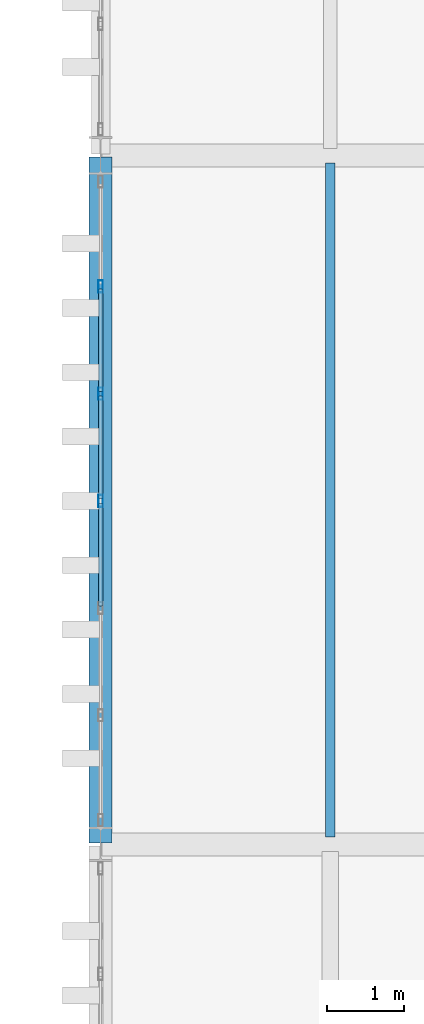
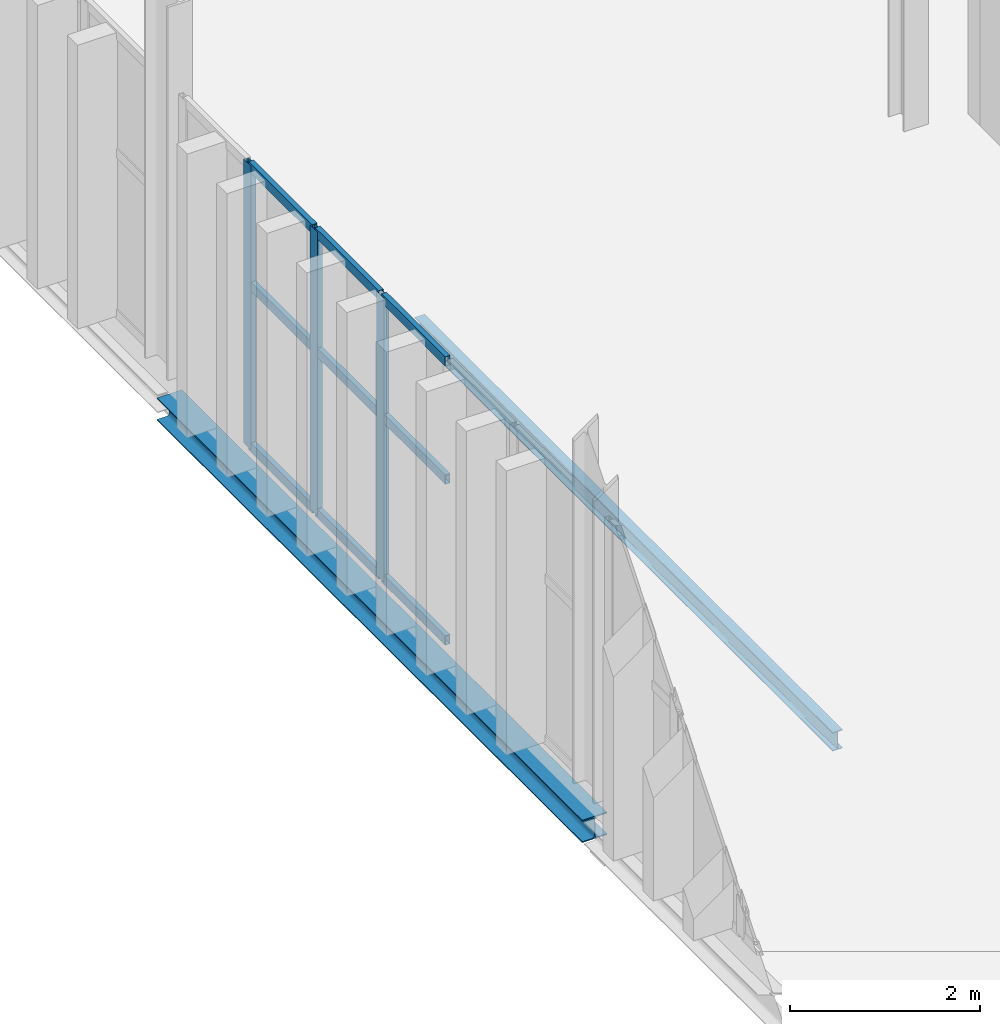
# One storey, part 139 of 196: 12 members, 2 beams, 1 element without a shape of its own.
"""IFC4 building model written with IfcOpenShell, lengths in metres."""

from ifc_helpers import new_model, si_unit, direction, frame, origin, origin_2d, place, context, subcontext, project, spatial, hollow_rectangle, i_section, extrude, material, layer, layer_set, material_profile, profile_set, type_object, element, aggregate, save


model = new_model("IFC4")

# Units and contexts
model_context = context("Model", 3, precision=1e-05, world=origin(), true_north=direction((0.0, 1.0)))
body_context = subcontext(model_context, "Body", "Model", "MODEL_VIEW")
ifc_project = project(units=[si_unit("LENGTHUNIT", "METRE"), si_unit("AREAUNIT", "SQUARE_METRE"), si_unit("VOLUMEUNIT", "CUBIC_METRE"), si_unit("PLANEANGLEUNIT", "RADIAN"), si_unit("MASSUNIT", "GRAM", prefix="KILO")], contexts=[model_context])

# Site, building, storey
site_placement = place(None, origin())
site = spatial("IfcSite", under=ifc_project, at=site_placement, CompositionType="ELEMENT")
building_placement = place(site_placement, origin())
building = spatial("IfcBuilding", under=site, at=building_placement, Name="Barlavento Convention Centre", CompositionType="ELEMENT")
storey_placement = place(building_placement, frame((0.0, 0.0, 18.0)))
storey = spatial("IfcBuildingStorey", under=building, at=storey_placement, Name="L03", CompositionType="ELEMENT", Elevation=18.0)

# Curtain wall, members
ifc_material_1 = material(Name="Powder-coated aluminium and Low-E glass", Category="aluminium")
ifc_layer = layer(ifc_material_1, 0.179931640625)
ifc_layer_set = layer_set([ifc_layer], Name="ARC-CW-PATIO-B")
curtain_wall_type = type_object("IfcCurtainWallType", Name="ARC-CW-PATIO-B", PredefinedType="NOTDEFINED", material=ifc_layer_set)
curtain_wall_placement = place(storey_placement, origin())
curtain_wall = element("IfcCurtainWall", 1, at=curtain_wall_placement, inside=storey, type_object=curtain_wall_type, Name="L03 unitised curtain wall CW12", PredefinedType="NOTDEFINED")
ifc_material_2 = material(Name="Powder-coated aluminium", Category="aluminium")
ifc_material_profile_1 = material_profile(ifc_material_2, hollow_rectangle(XDim=0.06005859375, YDim=0.159912109375, WallThickness=0.00390625, at=origin_2d()), Name="AL-MULL 60x160x4")
ifc_profile_set_1 = profile_set([ifc_material_profile_1], Name="Powder-coated aluminium")
member_type_1 = type_object("IfcMemberType", Name="ARC-CWM-60X160", PredefinedType="MULLION", material=ifc_profile_set_1)
member_1_placement = place(storey_placement, frame((171.0, 76.487548828125, 0.0), z_axis=(0.0, 0.0, 1.0), x_axis=(-1.0, 0.0, 0.0)))
member_1 = element("IfcMember", 2, at=member_1_placement, type_object=member_type_1, Name="CW12 mullion 4", PredefinedType="MULLION", context=body_context, shape_type="SweptSolid", body=[
    extrude(hollow_rectangle(XDim=0.06005859375, YDim=0.159912109375, WallThickness=0.00390625, at=origin_2d()), origin(), (0.0, 0.0, 1.0), 3.64990234375),
])
member_2_placement = place(storey_placement, frame((171.0, 77.888427734375, 0.0), z_axis=(0.0, 0.0, 1.0), x_axis=(-1.0, 0.0, 0.0)))
member_2 = element("IfcMember", 3, at=member_2_placement, type_object=member_type_1, Name="CW12 mullion 5", PredefinedType="MULLION", context=body_context, shape_type="SweptSolid", body=[
    extrude(hollow_rectangle(XDim=0.06005859375, YDim=0.159912109375, WallThickness=0.00390625, at=origin_2d()), origin(), (0.0, 0.0, 1.0), 3.64990234375),
])
member_3_placement = place(storey_placement, frame((171.0, 79.2890625, 0.0), z_axis=(0.0, 0.0, 1.0), x_axis=(-1.0, 0.0, 0.0)))
member_3 = element("IfcMember", 4, at=member_3_placement, type_object=member_type_1, Name="CW12 mullion 6", PredefinedType="MULLION", context=body_context, shape_type="SweptSolid", body=[
    extrude(hollow_rectangle(XDim=0.06005859375, YDim=0.159912109375, WallThickness=0.00390625, at=origin_2d()), origin(), (0.0, 0.0, 1.0), 3.64990234375),
])
ifc_material_profile_2 = material_profile(ifc_material_2, hollow_rectangle(XDim=0.06005859375, YDim=0.1201171875, WallThickness=0.00390625, at=origin_2d()), Name="AL-TRAN 60x120x4")
ifc_profile_set_2 = profile_set([ifc_material_profile_2], Name="Powder-coated aluminium")
member_type_2 = type_object("IfcMemberType", Name="ARC-CWT-60X120", PredefinedType="USERDEFINED", material=ifc_profile_set_2)
member_4_placement = place(storey_placement, frame((171.0, 75.11669921875, 0.030029296875), z_axis=(0.0, 1.0, 0.0), x_axis=(-1.0, 0.0, 0.0)))
member_4 = element("IfcMember", 5, at=member_4_placement, type_object=member_type_2, Name="CW12 transom 3.1", ObjectType="TRANSOM", PredefinedType="USERDEFINED", context=body_context, shape_type="SweptSolid", body=[
    extrude(hollow_rectangle(XDim=0.06005859375, YDim=0.1201171875, WallThickness=0.00390625, at=origin_2d()), origin(), (0.0, 0.0, 1.0), 1.3408203125),
])
member_5_placement = place(storey_placement, frame((171.0, 75.11669921875, 2.10009765625), z_axis=(0.0, 1.0, 0.0), x_axis=(-1.0, 0.0, 0.0)))
member_5 = element("IfcMember", 6, at=member_5_placement, type_object=member_type_2, Name="CW12 transom 3.2", ObjectType="TRANSOM", PredefinedType="USERDEFINED", context=body_context, shape_type="SweptSolid", body=[
    extrude(hollow_rectangle(XDim=0.06005859375, YDim=0.1201171875, WallThickness=0.00390625, at=origin_2d()), origin(), (0.0, 0.0, 1.0), 1.3408203125),
])
member_6_placement = place(storey_placement, frame((171.0, 75.11669921875, 3.6201171875), z_axis=(0.0, 1.0, 0.0), x_axis=(-1.0, 0.0, 0.0)))
member_6 = element("IfcMember", 7, at=member_6_placement, type_object=member_type_2, Name="CW12 transom 3.3", ObjectType="TRANSOM", PredefinedType="USERDEFINED", context=body_context, shape_type="SweptSolid", body=[
    extrude(hollow_rectangle(XDim=0.06005859375, YDim=0.1201171875, WallThickness=0.00390625, at=origin_2d()), origin(), (0.0, 0.0, 1.0), 1.3408203125),
])
member_7_placement = place(storey_placement, frame((171.0, 76.517578125, 0.030029296875), z_axis=(0.0, 1.0, 0.0), x_axis=(-1.0, 0.0, 0.0)))
member_7 = element("IfcMember", 8, at=member_7_placement, type_object=member_type_2, Name="CW12 transom 4.1", ObjectType="TRANSOM", PredefinedType="USERDEFINED", context=body_context, shape_type="SweptSolid", body=[
    extrude(hollow_rectangle(XDim=0.06005859375, YDim=0.1201171875, WallThickness=0.00390625, at=origin_2d()), origin(), (0.0, 0.0, 1.0), 1.3408203125),
])
member_8_placement = place(storey_placement, frame((171.0, 76.517578125, 2.10009765625), z_axis=(0.0, 1.0, 0.0), x_axis=(-1.0, 0.0, 0.0)))
member_8 = element("IfcMember", 9, at=member_8_placement, type_object=member_type_2, Name="CW12 transom 4.2", ObjectType="TRANSOM", PredefinedType="USERDEFINED", context=body_context, shape_type="SweptSolid", body=[
    extrude(hollow_rectangle(XDim=0.06005859375, YDim=0.1201171875, WallThickness=0.00390625, at=origin_2d()), origin(), (0.0, 0.0, 1.0), 1.3408203125),
])
member_9_placement = place(storey_placement, frame((171.0, 76.517578125, 3.6201171875), z_axis=(0.0, 1.0, 0.0), x_axis=(-1.0, 0.0, 0.0)))
member_9 = element("IfcMember", 10, at=member_9_placement, type_object=member_type_2, Name="CW12 transom 4.3", ObjectType="TRANSOM", PredefinedType="USERDEFINED", context=body_context, shape_type="SweptSolid", body=[
    extrude(hollow_rectangle(XDim=0.06005859375, YDim=0.1201171875, WallThickness=0.00390625, at=origin_2d()), origin(), (0.0, 0.0, 1.0), 1.3408203125),
])
member_10_placement = place(storey_placement, frame((171.0, 77.918212890625, 0.030029296875), z_axis=(0.0, 1.0, 0.0), x_axis=(-1.0, 0.0, 0.0)))
member_10 = element("IfcMember", 11, at=member_10_placement, type_object=member_type_2, Name="CW12 transom 5.1", ObjectType="TRANSOM", PredefinedType="USERDEFINED", context=body_context, shape_type="SweptSolid", body=[
    extrude(hollow_rectangle(XDim=0.06005859375, YDim=0.1201171875, WallThickness=0.00390625, at=origin_2d()), origin(), (0.0, 0.0, 1.0), 1.341064453125),
])
member_11_placement = place(storey_placement, frame((171.0, 77.918212890625, 2.10009765625), z_axis=(0.0, 1.0, 0.0), x_axis=(-1.0, 0.0, 0.0)))
member_11 = element("IfcMember", 12, at=member_11_placement, type_object=member_type_2, Name="CW12 transom 5.2", ObjectType="TRANSOM", PredefinedType="USERDEFINED", context=body_context, shape_type="SweptSolid", body=[
    extrude(hollow_rectangle(XDim=0.06005859375, YDim=0.1201171875, WallThickness=0.00390625, at=origin_2d()), origin(), (0.0, 0.0, 1.0), 1.341064453125),
])
member_12_placement = place(storey_placement, frame((171.0, 77.918212890625, 3.6201171875), z_axis=(0.0, 1.0, 0.0), x_axis=(-1.0, 0.0, 0.0)))
member_12 = element("IfcMember", 13, at=member_12_placement, type_object=member_type_2, Name="CW12 transom 5.3", ObjectType="TRANSOM", PredefinedType="USERDEFINED", context=body_context, shape_type="SweptSolid", body=[
    extrude(hollow_rectangle(XDim=0.06005859375, YDim=0.1201171875, WallThickness=0.00390625, at=origin_2d()), origin(), (0.0, 0.0, 1.0), 1.341064453125),
])
aggregate(curtain_wall, [member_1, member_2, member_3, member_4, member_5, member_6, member_7, member_8, member_9, member_10, member_11, member_12])

# Beams
ifc_material_3 = material(Name="Steel S355", Category="steel")
ifc_material_profile_3 = material_profile(ifc_material_3, i_section(OverallWidth=0.1201171875, OverallDepth=0.239990234375, WebThickness=0.006103515625, FlangeThickness=0.009765625, FilletRadius=0.014892578125, at=origin_2d()), Name="IPE 240")
ifc_profile_set_3 = profile_set([ifc_material_profile_3], Name="Steel S355")
beam_type_1 = type_object("IfcBeamType", Name="STR-BM-JST-IPE240", PredefinedType="JOIST", material=ifc_profile_set_3)
beam_1_placement = place(storey_placement, frame((174.0, 72.094970703125, -0.47998046875), z_axis=(0.0, 1.0, 0.0), x_axis=(-1.0, 0.0, 0.0)))
element("IfcBeam", 14, at=beam_1_placement, inside=storey, type_object=beam_type_1, Name="L03 composite floor joist SJ09", PredefinedType="JOIST", context=body_context, shape_type="SweptSolid", body=[
    extrude(i_section(OverallWidth=0.1201171875, OverallDepth=0.239990234375, WebThickness=0.006103515625, FlangeThickness=0.009765625, FilletRadius=0.014892578125, at=origin_2d()), origin(), (0.0, 0.0, 1.0), 8.81005859375),
])
ifc_material_profile_4 = material_profile(ifc_material_3, i_section(OverallWidth=0.300048828125, OverallDepth=0.2900390625, WebThickness=0.008544921875, FlangeThickness=0.013916015625, FilletRadius=0.027099609375, at=origin_2d()), Name="HEA 300")
ifc_profile_set_4 = profile_set([ifc_material_profile_4], Name="Steel S355")
beam_type_2 = type_object("IfcBeamType", Name="STR-BM-SPN-HEA300", PredefinedType="SPANDREL", material=ifc_profile_set_4)
beam_2_placement = place(storey_placement, frame((171.0, 72.02001953125, -0.5048828125), z_axis=(0.0, 1.0, 0.0), x_axis=(-1.0, 0.0, 0.0)))
element("IfcBeam", 15, at=beam_2_placement, inside=storey, type_object=beam_type_2, Name="L03 grid girder SP02", PredefinedType="SPANDREL", context=body_context, shape_type="SweptSolid", body=[
    extrude(i_section(OverallWidth=0.300048828125, OverallDepth=0.2900390625, WebThickness=0.008544921875, FlangeThickness=0.013916015625, FilletRadius=0.027099609375, at=origin_2d()), origin(), (0.0, 0.0, 1.0), 8.9599609375),
])

save(model, "model.ifc")
